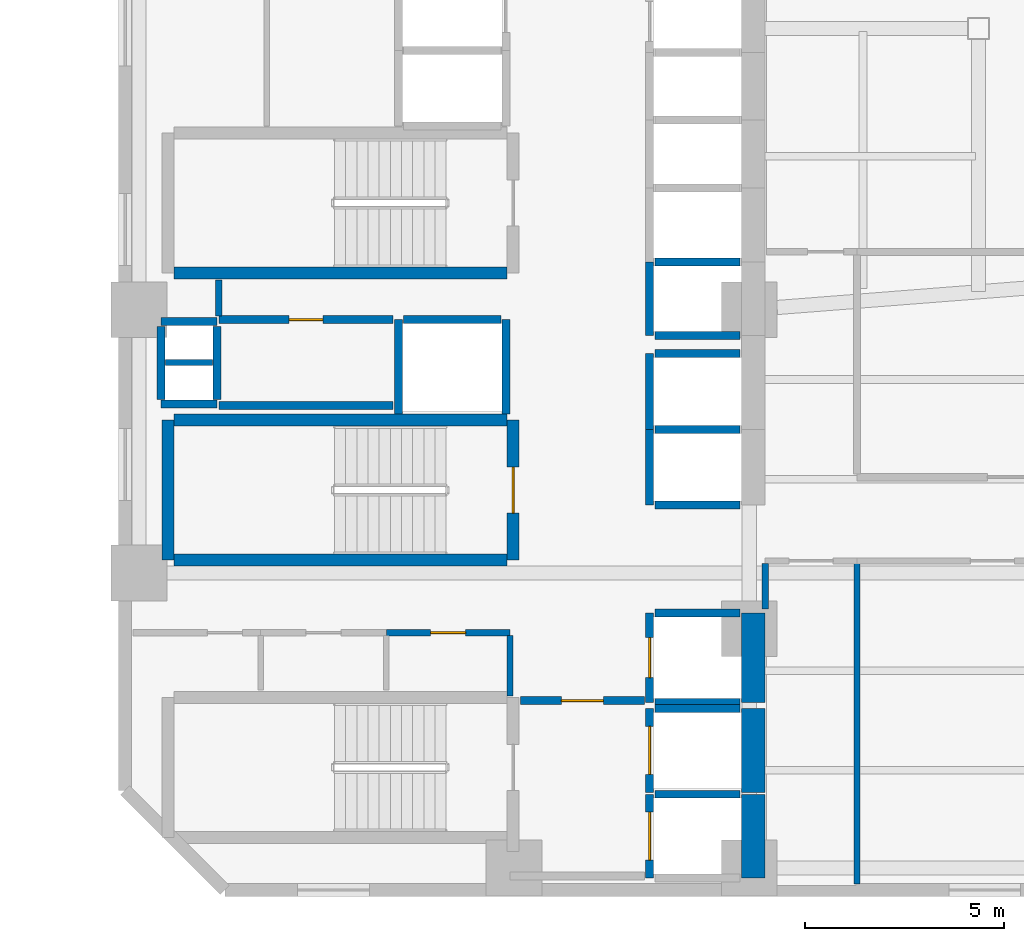
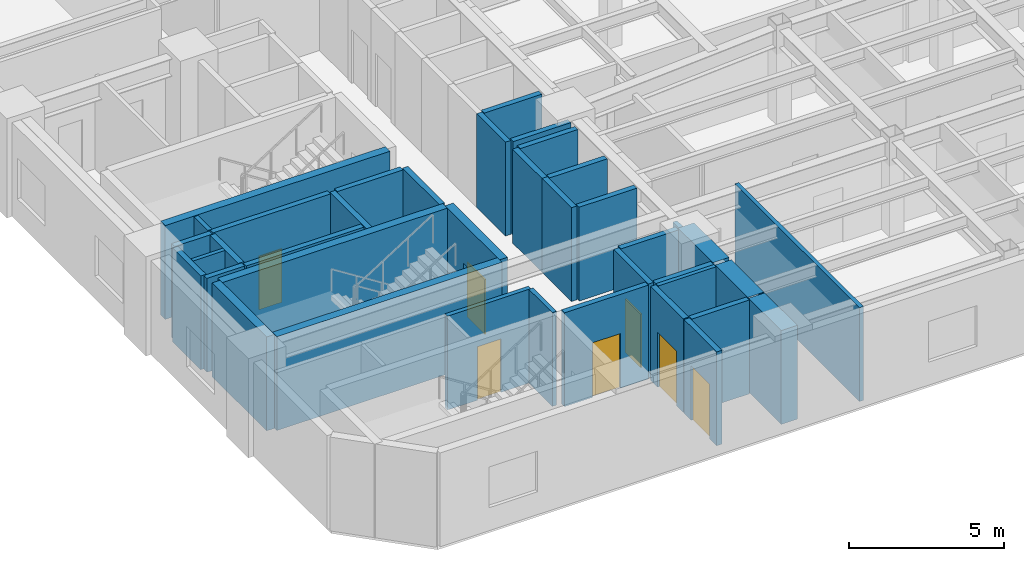
# One storey, part 3 of 10: 39 walls, 7 doors, 7 openings.
"""IFC4 building model written with IfcOpenShell, lengths in metres."""

from ifc_helpers import new_model, si_unit, direction, frame, frame_2d, origin, place, context, subcontext, project, spatial, rectangle, extrude, material, layer, layer_set, type_object, element, fill, save


model = new_model("IFC4")

# Units and contexts
model_context = context("Model", 3, precision=1e-05, world=origin(), true_north=direction((0.0, 1.0)))
body_context = subcontext(model_context, "Body", "Model", "MODEL_VIEW")
ifc_project = project(units=[si_unit("LENGTHUNIT", "METRE"), si_unit("AREAUNIT", "SQUARE_METRE"), si_unit("VOLUMEUNIT", "CUBIC_METRE"), si_unit("PLANEANGLEUNIT", "RADIAN"), si_unit("MASSUNIT", "GRAM", prefix="KILO")], contexts=[model_context])

# Site, building, storey
site_placement = place(None, origin())
site = spatial("IfcSite", under=ifc_project, at=site_placement, CompositionType="ELEMENT")
building_placement = place(site_placement, origin())
building = spatial("IfcBuilding", under=site, at=building_placement, Name="Mawjaban Terraces University", CompositionType="ELEMENT")
storey_placement = place(building_placement, frame((0.0, 0.0, 62.199951171875)))
storey = spatial("IfcBuildingStorey", under=building, at=storey_placement, Name="L14", CompositionType="ELEMENT", Elevation=62.199951171875)

# Walls
ifc_material_1 = material(Name="Concrete C70/85", Category="concrete")
ifc_layer_1 = layer(ifc_material_1, 0.60009765625)
ifc_layer_set_1 = layer_set([ifc_layer_1], Name="Concrete C70/85")
wall_type_1 = type_object("IfcWallType", Name="CoreShearWall_600", PredefinedType="SHEAR", material=ifc_layer_set_1)
wall_1_placement = place(storey_placement, frame((37.75, 0.300048828125, 0.0), z_axis=(0.0, 0.0, 1.0), x_axis=(0.0, 1.0, 0.0)))
element("IfcWall", 1, at=wall_1_placement, inside=storey, type_object=wall_type_1, Name="L14 Lift FL-1 Hoistway Wall East", PredefinedType="SHEAR", context=body_context, shape_type="SweptSolid", body=[
    extrude(rectangle(XDim=2.099853515625, YDim=0.60009765625, at=frame_2d((1.0498046875, 0.0))), origin(), (0.0, 0.0, 1.0), 3.68994140625),
])
wall_2_placement = place(storey_placement, frame((37.75, 2.449951171875, 0.0), z_axis=(0.0, 0.0, 1.0), x_axis=(0.0, 1.0, 0.0)))
element("IfcWall", 2, at=wall_2_placement, inside=storey, type_object=wall_type_1, Name="L14 Lift FL-2 Hoistway Wall East", PredefinedType="SHEAR", context=body_context, shape_type="SweptSolid", body=[
    extrude(rectangle(XDim=2.10009765625, YDim=0.60009765625, at=frame_2d((1.050048828125, 0.0))), origin(), (0.0, 0.0, 1.0), 3.68994140625),
])
wall_3_placement = place(storey_placement, frame((37.75, 4.699951171875, 0.0), z_axis=(0.0, 0.0, 1.0), x_axis=(0.0, 1.0, 0.0)))
element("IfcWall", 3, at=wall_3_placement, inside=storey, type_object=wall_type_1, Name="L14 Lift SL-1 Hoistway Wall East", PredefinedType="SHEAR", context=body_context, shape_type="SweptSolid", body=[
    extrude(rectangle(XDim=2.25, YDim=0.60009765625, at=frame_2d((1.125, 0.0))), origin(), (0.0, 0.0, 1.0), 3.68994140625),
])

# Wall, opening, door
ifc_material_2 = material(Name="Fire-rated gypsum board on steel stud", Category="steel")
ifc_layer_2 = layer(ifc_material_2, 0.159912109375)
ifc_layer_set_2 = layer_set([ifc_layer_2], Name="Fire-rated gypsum board on steel stud")
wall_type_2 = type_object("IfcWallType", Name="CorridorPartition_160", PredefinedType="PARTITIONING", material=ifc_layer_set_2)
wall_4_placement = place(storey_placement, frame((28.550048828125, 6.449951171875, 0.0), z_axis=(0.0, 0.0, 1.0), x_axis=(1.0, 0.0, 0.0)))
wall_4 = element("IfcWall", 4, at=wall_4_placement, inside=storey, type_object=wall_type_2, Name="L14 Core Washroom Lobby Partition 6", PredefinedType="PARTITIONING", context=body_context, shape_type="SweptSolid", body=[
    extrude(rectangle(XDim=3.099853515625, YDim=0.159912109375, at=frame_2d((1.5498046875, 0.0))), origin(), (0.0, 0.0, 1.0), 3.68994140625),
])
opening_1_placement = place(wall_4_placement, frame((1.110107421875, 0.0, 0.0)))
opening_1 = element("IfcOpeningElement", 5, at=opening_1_placement, cuts=wall_4, Name="Opening ID-088", PredefinedType="OPENING", context=body_context, shape_type="SweptSolid", body=[
    extrude(rectangle(XDim=0.8798828125, YDim=2.10009765625, at=frame_2d((0.43994140625, 1.050048828125))), frame((0.0, 0.08984375, 0.0), z_axis=(0.0, -1.0, 0.0), x_axis=(1.0, 0.0, 0.0)), (0.0, 0.0, 1.0), 0.179931640625),
])
ifc_material_3 = material(Name="Powder-coated steel frame and solid acoustic timber leaf", Category="steel")
door_type_1 = type_object("IfcDoorType", Name="ToiletDoor_880x2100", OperationType="NOTDEFINED", PredefinedType="DOOR", material=ifc_material_3)
door_1_placement = place(opening_1_placement, origin())
door_1 = element("IfcDoor", 6, at=door_1_placement, inside=storey, type_object=door_type_1, Name="L14 Accessible Toilet Door", OperationType="SINGLE_SWING_LEFT", OverallHeight=2.10009765625, OverallWidth=0.8798828125, PredefinedType="DOOR", context=body_context, shape_type="SweptSolid", body=[
    extrude(rectangle(XDim=0.8798828125, YDim=2.10009765625, at=frame_2d((0.43994140625, 1.050048828125))), frame((0.0, 0.02490234375, 0.0), z_axis=(0.0, -1.0, 0.0), x_axis=(1.0, 0.0, 0.0)), (0.0, 0.0, 1.0), 0.050048828125),
])
fill(opening_1, door_1)

# Walls
wall_5_placement = place(storey_placement, frame((24.35009765625, 15.2900390625, 0.0), z_axis=(0.0, 0.0, 1.0), x_axis=(0.0, -1.0, 0.0)))
element("IfcWall", 7, at=wall_5_placement, inside=storey, type_object=wall_type_2, Name="L14 Core Riser Access Passage Partition 30", PredefinedType="PARTITIONING", context=body_context, shape_type="SweptSolid", body=[
    extrude(rectangle(XDim=0.89501953125, YDim=0.159912109375, at=frame_2d((0.447509765625, 0.0))), origin(), (0.0, 0.0, 1.0), 3.68994140625),
])
wall_6_placement = place(storey_placement, frame((31.64990234375, 4.860107421875, 0.0), z_axis=(0.0, 0.0, 1.0), x_axis=(0.0, 1.0, 0.0)))
element("IfcWall", 8, at=wall_6_placement, inside=storey, type_object=wall_type_2, Name="L14 Accessible Toilet Partition 39", PredefinedType="PARTITIONING", context=body_context, shape_type="SweptSolid", body=[
    extrude(rectangle(XDim=1.514892578125, YDim=0.159912109375, at=frame_2d((0.75732421875, 0.0))), origin(), (0.0, 0.0, 1.0), 3.68994140625),
])
wall_7_placement = place(storey_placement, frame((38.050048828125, 7.050048828125, 0.0), z_axis=(0.0, 0.0, 1.0), x_axis=(0.0, 1.0, 0.0)))
element("IfcWall", 9, at=wall_7_placement, inside=storey, type_object=wall_type_2, Name="L14 Core Stair and Lift Lobby East Partition 42", PredefinedType="PARTITIONING", context=body_context, shape_type="SweptSolid", body=[
    extrude(rectangle(XDim=1.1318359375, YDim=0.159912109375, at=frame_2d((0.56591796875, 0.0))), origin(), (0.0, 0.0, 1.0), 2.9951171875),
])

# Wall, opening, door
ifc_material_4 = material(Name="Concrete C40/50", Category="concrete")
ifc_layer_3 = layer(ifc_material_4, 0.199951171875)
ifc_layer_set_3 = layer_set([ifc_layer_3], Name="Concrete C40/50")
wall_type_3 = type_object("IfcWallType", Name="FireLobbyWall_200", PredefinedType="SOLIDWALL", material=ifc_layer_set_3)
wall_8_placement = place(storey_placement, frame((35.14990234375, 2.39990234375, 0.0), z_axis=(0.0, 0.0, 1.0), x_axis=(0.0, -1.0, 0.0)))
wall_8 = element("IfcWall", 10, at=wall_8_placement, inside=storey, type_object=wall_type_3, Name="L14 Lift FL-1 Hoistway Wall West", PredefinedType="SOLIDWALL", context=body_context, shape_type="SweptSolid", body=[
    extrude(rectangle(XDim=2.099853515625, YDim=0.199951171875, at=frame_2d((1.0498046875, 0.0))), origin(), (0.0, 0.0, 1.0), 3.68994140625),
])
opening_2_placement = place(wall_8_placement, frame((0.449951171875, 0.0, 0.0)))
opening_2 = element("IfcOpeningElement", 11, at=opening_2_placement, cuts=wall_8, Name="Opening LD-FL-1", PredefinedType="OPENING", context=body_context, shape_type="SweptSolid", body=[
    extrude(rectangle(XDim=1.199951171875, YDim=2.14990234375, at=frame_2d((0.60009765625, 1.074951171875))), frame((0.0, 0.10986328125, 0.0), z_axis=(0.0, -1.0, 0.0), x_axis=(1.0, 0.0, 0.0)), (0.0, 0.0, 1.0), 0.219970703125),
])
ifc_material_5 = material(Name="Powder-coated steel frame and fire-rated steel-faced leaf", Category="steel")
door_type_2 = type_object("IfcDoorType", Name="LiftLandingFSAE_1200x2150", OperationType="NOTDEFINED", PredefinedType="DOOR", material=ifc_material_5)
door_2_placement = place(opening_2_placement, origin())
door_2 = element("IfcDoor", 12, at=door_2_placement, inside=storey, type_object=door_type_2, Name="L14 Lift FL-1 Sliding Landing Door", OperationType="DOUBLE_DOOR_SLIDING", OverallHeight=2.14990234375, OverallWidth=1.199951171875, PredefinedType="DOOR", context=body_context, shape_type="SweptSolid", body=[
    extrude(rectangle(XDim=1.199951171875, YDim=2.14990234375, at=frame_2d((0.60009765625, 1.074951171875))), frame((0.0, 0.02490234375, 0.0), z_axis=(0.0, -1.0, 0.0), x_axis=(1.0, 0.0, 0.0)), (0.0, 0.0, 1.0), 0.050048828125),
])
fill(opening_2, door_2)

# Wall
wall_9_placement = place(storey_placement, frame((37.419921875, 2.39990234375, 0.0), z_axis=(0.0, 0.0, 1.0), x_axis=(-1.0, 0.0, 0.0)))
element("IfcWall", 13, at=wall_9_placement, inside=storey, type_object=wall_type_3, Name="L14 Lift FL-1 Hoistway Wall North", PredefinedType="SOLIDWALL", context=body_context, shape_type="SweptSolid", body=[
    extrude(rectangle(XDim=2.139892578125, YDim=0.199951171875, at=frame_2d((1.06982421875, 0.0))), origin(), (0.0, 0.0, 1.0), 3.68994140625),
])

# Wall, opening, door
wall_10_placement = place(storey_placement, frame((35.14990234375, 4.550048828125, 0.0), z_axis=(0.0, 0.0, 1.0), x_axis=(0.0, -1.0, 0.0)))
wall_10 = element("IfcWall", 14, at=wall_10_placement, inside=storey, type_object=wall_type_3, Name="L14 Lift FL-2 Hoistway Wall West", PredefinedType="SOLIDWALL", context=body_context, shape_type="SweptSolid", body=[
    extrude(rectangle(XDim=2.10009765625, YDim=0.199951171875, at=frame_2d((1.050048828125, 0.0))), origin(), (0.0, 0.0, 1.0), 3.68994140625),
])
opening_3_placement = place(wall_10_placement, frame((0.449951171875, 0.0, 0.0)))
opening_3 = element("IfcOpeningElement", 15, at=opening_3_placement, cuts=wall_10, Name="Opening LD-FL-2", PredefinedType="OPENING", context=body_context, shape_type="SweptSolid", body=[
    extrude(rectangle(XDim=1.199951171875, YDim=2.14990234375, at=frame_2d((0.60009765625, 1.074951171875))), frame((0.0, 0.10986328125, 0.0), z_axis=(0.0, -1.0, 0.0), x_axis=(1.0, 0.0, 0.0)), (0.0, 0.0, 1.0), 0.219970703125),
])
door_3_placement = place(opening_3_placement, origin())
door_3 = element("IfcDoor", 16, at=door_3_placement, inside=storey, type_object=door_type_2, Name="L14 Lift FL-2 Sliding Landing Door", OperationType="DOUBLE_DOOR_SLIDING", OverallHeight=2.14990234375, OverallWidth=1.199951171875, PredefinedType="DOOR", context=body_context, shape_type="SweptSolid", body=[
    extrude(rectangle(XDim=1.199951171875, YDim=2.14990234375, at=frame_2d((0.60009765625, 1.074951171875))), frame((0.0, 0.02490234375, 0.0), z_axis=(0.0, -1.0, 0.0), x_axis=(1.0, 0.0, 0.0)), (0.0, 0.0, 1.0), 0.050048828125),
])
fill(opening_3, door_3)

# Wall
wall_11_placement = place(storey_placement, frame((37.419921875, 4.550048828125, 0.0), z_axis=(0.0, 0.0, 1.0), x_axis=(-1.0, 0.0, 0.0)))
element("IfcWall", 17, at=wall_11_placement, inside=storey, type_object=wall_type_3, Name="L14 Lift FL-2 Hoistway Wall North", PredefinedType="SOLIDWALL", context=body_context, shape_type="SweptSolid", body=[
    extrude(rectangle(XDim=2.139892578125, YDim=0.199951171875, at=frame_2d((1.06982421875, 0.0))), origin(), (0.0, 0.0, 1.0), 3.68994140625),
])

# Wall, opening, door
wall_12_placement = place(storey_placement, frame((35.14990234375, 6.949951171875, 0.0), z_axis=(0.0, 0.0, 1.0), x_axis=(0.0, -1.0, 0.0)))
wall_12 = element("IfcWall", 18, at=wall_12_placement, inside=storey, type_object=wall_type_3, Name="L14 Lift SL-1 Hoistway Wall West", PredefinedType="SOLIDWALL", context=body_context, shape_type="SweptSolid", body=[
    extrude(rectangle(XDim=2.25, YDim=0.199951171875, at=frame_2d((1.125, 0.0))), origin(), (0.0, 0.0, 1.0), 3.68994140625),
])
opening_4_placement = place(wall_12_placement, frame((0.625, 0.0, 0.0)))
opening_4 = element("IfcOpeningElement", 19, at=opening_4_placement, cuts=wall_12, Name="Opening LD-SL-1", PredefinedType="OPENING", context=body_context, shape_type="SweptSolid", body=[
    extrude(rectangle(XDim=1.0, YDim=2.10009765625, at=frame_2d((0.5, 1.050048828125))), frame((0.0, 0.10986328125, 0.0), z_axis=(0.0, -1.0, 0.0), x_axis=(1.0, 0.0, 0.0)), (0.0, 0.0, 1.0), 0.219970703125),
])
door_type_3 = type_object("IfcDoorType", Name="LiftLandingSliding_1000x2100", OperationType="NOTDEFINED", PredefinedType="DOOR", material=ifc_material_5)
door_4_placement = place(opening_4_placement, origin())
door_4 = element("IfcDoor", 20, at=door_4_placement, inside=storey, type_object=door_type_3, Name="L14 Lift SL-1 Sliding Landing Door", OperationType="DOUBLE_DOOR_SLIDING", OverallHeight=2.10009765625, OverallWidth=1.0, PredefinedType="DOOR", context=body_context, shape_type="SweptSolid", body=[
    extrude(rectangle(XDim=1.0, YDim=2.10009765625, at=frame_2d((0.5, 1.050048828125))), frame((0.0, 0.02490234375, 0.0), z_axis=(0.0, -1.0, 0.0), x_axis=(1.0, 0.0, 0.0)), (0.0, 0.0, 1.0), 0.050048828125),
])
fill(opening_4, door_4)

# Walls
for number, where, z_axis, x_axis, name in (
    (21, (35.280029296875, 4.699951171875, 0.0), (0.0, 0.0, 1.0), (1.0, 0.0, 0.0), "L14 Lift SL-1 Hoistway Wall South"),
    (22, (37.419921875, 6.949951171875, 0.0), (0.0, 0.0, 1.0), (-1.0, 0.0, 0.0), "L14 Lift SL-1 Hoistway Wall North"),
):
    element("IfcWall", number, at=place(storey_placement, frame(where, z_axis=z_axis, x_axis=x_axis)), inside=storey, type_object=wall_type_3, Name=name, PredefinedType="SOLIDWALL", context=body_context, shape_type="SweptSolid", body=[
        extrude(rectangle(XDim=2.139892578125, YDim=0.199951171875, at=frame_2d((1.06982421875, 0.0))), origin(), (0.0, 0.0, 1.0), 3.68994140625),
    ])
wall_13_placement = place(storey_placement, frame((35.14990234375, 11.550048828125, 0.0), z_axis=(0.0, 0.0, 1.0), x_axis=(0.0, -1.0, 0.0)))
element("IfcWall", 23, at=wall_13_placement, inside=storey, type_object=wall_type_3, Name="L14 Lift PL-H1 Hoistway Wall West", PredefinedType="SOLIDWALL", context=body_context, shape_type="SweptSolid", body=[
    extrude(rectangle(XDim=1.900146484375, YDim=0.199951171875, at=frame_2d((0.9501953125, 0.0))), origin(), (0.0, 0.0, 1.0), 3.68994140625),
])
for number, where, z_axis, x_axis, name in (
    (24, (35.280029296875, 9.64990234375, 0.0), (0.0, 0.0, 1.0), (1.0, 0.0, 0.0), "L14 Lift PL-H1 Hoistway Wall South"),
    (25, (37.419921875, 11.550048828125, 0.0), (0.0, 0.0, 1.0), (-1.0, 0.0, 0.0), "L14 Lift PL-H1 Hoistway Wall North"),
):
    element("IfcWall", number, at=place(storey_placement, frame(where, z_axis=z_axis, x_axis=x_axis)), inside=storey, type_object=wall_type_3, Name=name, PredefinedType="SOLIDWALL", context=body_context, shape_type="SweptSolid", body=[
        extrude(rectangle(XDim=2.139892578125, YDim=0.199951171875, at=frame_2d((1.06982421875, 0.0))), origin(), (0.0, 0.0, 1.0), 3.68994140625),
    ])
wall_14_placement = place(storey_placement, frame((35.14990234375, 13.449951171875, 0.0), z_axis=(0.0, 0.0, 1.0), x_axis=(0.0, -1.0, 0.0)))
element("IfcWall", 26, at=wall_14_placement, inside=storey, type_object=wall_type_3, Name="L14 Lift PL-H2 Hoistway Wall West", PredefinedType="SOLIDWALL", context=body_context, shape_type="SweptSolid", body=[
    extrude(rectangle(XDim=1.89990234375, YDim=0.199951171875, at=frame_2d((0.949951171875, 0.0))), origin(), (0.0, 0.0, 1.0), 3.68994140625),
])
wall_15_placement = place(storey_placement, frame((37.419921875, 13.449951171875, 0.0), z_axis=(0.0, 0.0, 1.0), x_axis=(-1.0, 0.0, 0.0)))
element("IfcWall", 27, at=wall_15_placement, inside=storey, type_object=wall_type_3, Name="L14 Lift PL-H2 Hoistway Wall North", PredefinedType="SOLIDWALL", context=body_context, shape_type="SweptSolid", body=[
    extrude(rectangle(XDim=2.139892578125, YDim=0.199951171875, at=frame_2d((1.06982421875, 0.0))), origin(), (0.0, 0.0, 1.0), 3.68994140625),
])
for number, where, z_axis, x_axis, name in (
    (28, (28.85009765625, 14.300048828125, 0.0), (0.0, 0.0, 1.0), (0.0, -1.0, 0.0), "L14 Lift PL-H3 Hoistway Wall West"),
    (29, (31.550048828125, 11.929931640625, 0.0), (0.0, 0.0, 1.0), (0.0, 1.0, 0.0), "L14 Lift PL-H3 Hoistway Wall East"),
):
    element("IfcWall", number, at=place(storey_placement, frame(where, z_axis=z_axis, x_axis=x_axis)), inside=storey, type_object=wall_type_3, Name=name, PredefinedType="SOLIDWALL", context=body_context, shape_type="SweptSolid", body=[
        extrude(rectangle(XDim=2.3701171875, YDim=0.199951171875, at=frame_2d((1.18505859375, 0.0))), origin(), (0.0, 0.0, 1.0), 3.68994140625),
    ])
wall_16_placement = place(storey_placement, frame((31.419921875, 14.300048828125, 0.0), z_axis=(0.0, 0.0, 1.0), x_axis=(-1.0, 0.0, 0.0)))
element("IfcWall", 30, at=wall_16_placement, inside=storey, type_object=wall_type_3, Name="L14 Lift PL-H3 Hoistway Wall North", PredefinedType="SOLIDWALL", context=body_context, shape_type="SweptSolid", body=[
    extrude(rectangle(XDim=2.43994140625, YDim=0.199951171875, at=frame_2d((1.219970703125, 0.0))), origin(), (0.0, 0.0, 1.0), 3.68994140625),
])
wall_17_placement = place(storey_placement, frame((35.14990234375, 15.75, 0.0), z_axis=(0.0, 0.0, 1.0), x_axis=(0.0, -1.0, 0.0)))
element("IfcWall", 31, at=wall_17_placement, inside=storey, type_object=wall_type_3, Name="L14 Lift OL-1 Hoistway Wall West", PredefinedType="SOLIDWALL", context=body_context, shape_type="SweptSolid", body=[
    extrude(rectangle(XDim=1.85009765625, YDim=0.199951171875, at=frame_2d((0.925048828125, 0.0))), origin(), (0.0, 0.0, 1.0), 3.68994140625),
])
for number, where, z_axis, x_axis, name in (
    (32, (35.280029296875, 13.89990234375, 0.0), (0.0, 0.0, 1.0), (1.0, 0.0, 0.0), "L14 Lift OL-1 Hoistway Wall South"),
    (33, (37.419921875, 15.75, 0.0), (0.0, 0.0, 1.0), (-1.0, 0.0, 0.0), "L14 Lift OL-1 Hoistway Wall North"),
):
    element("IfcWall", number, at=place(storey_placement, frame(where, z_axis=z_axis, x_axis=x_axis)), inside=storey, type_object=wall_type_3, Name=name, PredefinedType="SOLIDWALL", context=body_context, shape_type="SweptSolid", body=[
        extrude(rectangle(XDim=2.139892578125, YDim=0.199951171875, at=frame_2d((1.06982421875, 0.0))), origin(), (0.0, 0.0, 1.0), 3.68994140625),
    ])
for number, where, z_axis, x_axis, name in (
    (34, (22.89990234375, 14.25, 0.0), (0.0, 0.0, 1.0), (1.0, 0.0, 0.0), "L14 MEP Riser Shaft Wall N"),
    (35, (22.89990234375, 12.179931640625, 0.0), (0.0, 0.0, 1.0), (1.0, 0.0, 0.0), "L14 MEP Riser Shaft Wall S"),
):
    element("IfcWall", number, at=place(storey_placement, frame(where, z_axis=z_axis, x_axis=x_axis)), inside=storey, type_object=wall_type_3, Name=name, PredefinedType="SOLIDWALL", context=body_context, shape_type="SweptSolid", body=[
        extrude(rectangle(XDim=1.400146484375, YDim=0.199951171875, at=frame_2d((0.7001953125, 0.0))), origin(), (0.0, 0.0, 1.0), 3.68994140625),
    ])
for number, where, z_axis, x_axis, name in (
    (36, (24.300048828125, 12.300048828125, 0.0), (0.0, 0.0, 1.0), (0.0, 1.0, 0.0), "L14 MEP Riser Shaft Wall E"),
    (37, (22.89990234375, 12.300048828125, 0.0), (0.0, 0.0, 1.0), (0.0, 1.0, 0.0), "L14 MEP Riser Shaft Wall W"),
):
    element("IfcWall", number, at=place(storey_placement, frame(where, z_axis=z_axis, x_axis=x_axis)), inside=storey, type_object=wall_type_3, Name=name, PredefinedType="SOLIDWALL", context=body_context, shape_type="SweptSolid", body=[
        extrude(rectangle(XDim=1.829833984375, YDim=0.199951171875, at=frame_2d((0.9150390625, 0.0))), origin(), (0.0, 0.0, 1.0), 3.68994140625),
    ])
wall_18_placement = place(storey_placement, frame((24.35009765625, 12.14990234375, 0.0), z_axis=(0.0, 0.0, 1.0), x_axis=(1.0, 0.0, 0.0)))
element("IfcWall", 38, at=wall_18_placement, inside=storey, type_object=wall_type_3, Name="L14 IT and Telecoms Riser Room Partition 2", PredefinedType="SOLIDWALL", context=body_context, shape_type="SweptSolid", body=[
    extrude(rectangle(XDim=4.369873046875, YDim=0.199951171875, at=frame_2d((2.18505859375, 0.0))), origin(), (0.0, 0.0, 1.0), 3.68994140625),
])

# Wall, opening, door
wall_19_placement = place(storey_placement, frame((24.35009765625, 14.300048828125, 0.0), z_axis=(0.0, 0.0, 1.0), x_axis=(1.0, 0.0, 0.0)))
wall_19 = element("IfcWall", 39, at=wall_19_placement, inside=storey, type_object=wall_type_3, Name="L14 Core Riser Access Passage Partition 3", PredefinedType="SOLIDWALL", context=body_context, shape_type="SweptSolid", body=[
    extrude(rectangle(XDim=4.369873046875, YDim=0.199951171875, at=frame_2d((2.18505859375, 0.0))), origin(), (0.0, 0.0, 1.0), 3.68994140625),
])
opening_5_placement = place(wall_19_placement, frame((1.760009765625, 0.0, 0.0)))
opening_5 = element("IfcOpeningElement", 40, at=opening_5_placement, cuts=wall_19, Name="Opening FD-085", PredefinedType="OPENING", context=body_context, shape_type="SweptSolid", body=[
    extrude(rectangle(XDim=0.85009765625, YDim=2.10009765625, at=frame_2d((0.425048828125, 1.050048828125))), frame((0.0, 0.10986328125, 0.0), z_axis=(0.0, -1.0, 0.0), x_axis=(1.0, 0.0, 0.0)), (0.0, 0.0, 1.0), 0.219970703125),
])
door_type_4 = type_object("IfcDoorType", Name="FireRiserDoor_850x2100", OperationType="NOTDEFINED", PredefinedType="DOOR", material=ifc_material_5)
door_5_placement = place(opening_5_placement, origin())
door_5 = element("IfcDoor", 41, at=door_5_placement, inside=storey, type_object=door_type_4, Name="L14 IT and Telecoms Riser Room Door", OperationType="SINGLE_SWING_RIGHT", OverallHeight=2.10009765625, OverallWidth=0.85009765625, PredefinedType="DOOR", context=body_context, shape_type="SweptSolid", body=[
    extrude(rectangle(XDim=0.85009765625, YDim=2.10009765625, at=frame_2d((0.425048828125, 1.050048828125))), frame((0.0, 0.02490234375, 0.0), z_axis=(0.0, -1.0, 0.0), x_axis=(1.0, 0.0, 0.0)), (0.0, 0.0, 1.0), 0.050048828125),
])
fill(opening_5, door_5)

wall_20_placement = place(storey_placement, frame((35.02001953125, 4.75, 0.0), z_axis=(0.0, 0.0, 1.0), x_axis=(-1.0, 0.0, 0.0)))
wall_20 = element("IfcWall", 42, at=wall_20_placement, inside=storey, type_object=wall_type_3, Name="L14 Firefighting Lift Lobby Partition 12", PredefinedType="SOLIDWALL", context=body_context, shape_type="SweptSolid", body=[
    extrude(rectangle(XDim=3.110107421875, YDim=0.199951171875, at=frame_2d((1.55517578125, 0.0))), origin(), (0.0, 0.0, 1.0), 3.68994140625),
])
opening_6_placement = place(wall_20_placement, frame((1.030029296875, 0.0, 0.0)))
opening_6 = element("IfcOpeningElement", 43, at=opening_6_placement, cuts=wall_20, Name="Opening FD-105", PredefinedType="OPENING", context=body_context, shape_type="SweptSolid", body=[
    extrude(rectangle(XDim=1.050048828125, YDim=2.14990234375, at=frame_2d((0.52490234375, 1.074951171875))), frame((0.0, 0.10986328125, 0.0), z_axis=(0.0, -1.0, 0.0), x_axis=(1.0, 0.0, 0.0)), (0.0, 0.0, 1.0), 0.219970703125),
])
door_type_5 = type_object("IfcDoorType", Name="FireLobbyDoor_1050x2150", OperationType="NOTDEFINED", PredefinedType="DOOR", material=ifc_material_5)
door_6_placement = place(opening_6_placement, origin())
door_6 = element("IfcDoor", 44, at=door_6_placement, inside=storey, type_object=door_type_5, Name="L14 Firefighting Lift Lobby Door", OperationType="SINGLE_SWING_RIGHT", OverallHeight=2.14990234375, OverallWidth=1.050048828125, PredefinedType="DOOR", context=body_context, shape_type="SweptSolid", body=[
    extrude(rectangle(XDim=1.050048828125, YDim=2.14990234375, at=frame_2d((0.52490234375, 1.074951171875))), frame((0.0, 0.02490234375, 0.0), z_axis=(0.0, -1.0, 0.0), x_axis=(1.0, 0.0, 0.0)), (0.0, 0.0, 1.0), 0.050048828125),
])
fill(opening_6, door_6)

# Walls
ifc_material_6 = material(Name="Moisture-resistant gypsum board on steel stud", Category="steel")
ifc_layer_4 = layer(ifc_material_6, 0.14501953125)
ifc_layer_set_4 = layer_set([ifc_layer_4], Name="Moisture-resistant gypsum board on steel stud")
wall_type_4 = type_object("IfcWallType", Name="LabPartition_145", PredefinedType="PARTITIONING", material=ifc_layer_set_4)
wall_21_placement = place(storey_placement, frame((23.010009765625, 13.22509765625, 0.0), z_axis=(0.0, 0.0, 1.0), x_axis=(1.0, 0.0, 0.0)))
element("IfcWall", 45, at=wall_21_placement, inside=storey, type_object=wall_type_4, Name="L14 MEP Riser Shaft Wall M", PredefinedType="PARTITIONING", context=body_context, shape_type="SweptSolid", body=[
    extrude(rectangle(XDim=1.179931640625, YDim=0.14501953125, at=frame_2d((0.58984375, 0.0))), origin(), (0.0, 0.0, 1.0), 3.68994140625),
])
wall_22_placement = place(storey_placement, frame((40.35009765625, 0.155029296875, 0.0), z_axis=(0.0, 0.0, 1.0), x_axis=(0.0, 1.0, 0.0)))
element("IfcWall", 46, at=wall_22_placement, inside=storey, type_object=wall_type_4, Name="L14 Computational Laboratory 1 Partition 44", PredefinedType="PARTITIONING", context=body_context, shape_type="SweptSolid", body=[
    extrude(rectangle(XDim=8.02685546875, YDim=0.14501953125, at=frame_2d((4.013427734375, 0.0))), origin(), (0.0, 0.0, 1.0), 3.68994140625),
])
ifc_material_7 = material(Name="Concrete C60/75", Category="concrete")
ifc_layer_5 = layer(ifc_material_7, 0.300048828125)
ifc_layer_set_5 = layer_set([ifc_layer_5], Name="Concrete C60/75")
wall_type_5 = type_object("IfcWallType", Name="StairShaftWall_300", PredefinedType="SHEAR", material=ifc_layer_set_5)
for number, where, z_axis, x_axis, name in (
    (47, (23.219970703125, 15.469970703125, 0.0), (0.0, 0.0, 1.0), (1.0, 0.0, 0.0), "L14 ST-2 Stair Shaft Wall 3"),
    (48, (31.580078125, 11.780029296875, 0.0), (0.0, 0.0, 1.0), (-1.0, 0.0, 0.0), "L14 ST-3 Stair Shaft Wall 1"),
):
    element("IfcWall", number, at=place(storey_placement, frame(where, z_axis=z_axis, x_axis=x_axis)), inside=storey, type_object=wall_type_5, Name=name, PredefinedType="SHEAR", context=body_context, shape_type="SweptSolid", body=[
        extrude(rectangle(XDim=8.360107421875, YDim=0.300048828125, at=frame_2d((4.18017578125, 0.0))), origin(), (0.0, 0.0, 1.0), 3.68994140625),
    ])
wall_23_placement = place(storey_placement, frame((23.070068359375, 11.780029296875, 0.0), z_axis=(0.0, 0.0, 1.0), x_axis=(0.0, -1.0, 0.0)))
element("IfcWall", 49, at=wall_23_placement, inside=storey, type_object=wall_type_5, Name="L14 ST-3 Stair Shaft Wall 2", PredefinedType="SHEAR", context=body_context, shape_type="SweptSolid", body=[
    extrude(rectangle(XDim=3.510009765625, YDim=0.300048828125, at=frame_2d((1.7548828125, 0.0))), origin(), (0.0, 0.0, 1.0), 3.68994140625),
])
wall_24_placement = place(storey_placement, frame((23.219970703125, 8.27001953125, 0.0), z_axis=(0.0, 0.0, 1.0), x_axis=(1.0, 0.0, 0.0)))
element("IfcWall", 50, at=wall_24_placement, inside=storey, type_object=wall_type_5, Name="L14 ST-3 Stair Shaft Wall 3", PredefinedType="SHEAR", context=body_context, shape_type="SweptSolid", body=[
    extrude(rectangle(XDim=8.360107421875, YDim=0.300048828125, at=frame_2d((4.18017578125, 0.0))), origin(), (0.0, 0.0, 1.0), 3.68994140625),
])

# Wall, opening, door
wall_25_placement = place(storey_placement, frame((31.72998046875, 8.27001953125, 0.0), z_axis=(0.0, 0.0, 1.0), x_axis=(0.0, 1.0, 0.0)))
wall_25 = element("IfcWall", 51, at=wall_25_placement, inside=storey, type_object=wall_type_5, Name="L14 ST-3 Stair Shaft Wall 4", PredefinedType="SHEAR", context=body_context, shape_type="SweptSolid", body=[
    extrude(rectangle(XDim=3.510009765625, YDim=0.300048828125, at=frame_2d((1.7548828125, 0.0))), origin(), (0.0, 0.0, 1.0), 3.68994140625),
])
opening_7_placement = place(wall_25_placement, frame((1.179931640625, 0.0, 0.0)))
opening_7 = element("IfcOpeningElement", 52, at=opening_7_placement, cuts=wall_25, Name="Opening FD-115", PredefinedType="OPENING", context=body_context, shape_type="SweptSolid", body=[
    extrude(rectangle(XDim=1.14990234375, YDim=2.14990234375, at=frame_2d((0.574951171875, 1.074951171875))), frame((0.0, 0.159912109375, 0.0), z_axis=(0.0, -1.0, 0.0), x_axis=(1.0, 0.0, 0.0)), (0.0, 0.0, 1.0), 0.320068359375),
])
door_type_6 = type_object("IfcDoorType", Name="FireStairDoor_1150x2150", OperationType="NOTDEFINED", PredefinedType="DOOR", material=ifc_material_5)
door_7_placement = place(opening_7_placement, origin())
door_7 = element("IfcDoor", 53, at=door_7_placement, inside=storey, type_object=door_type_6, Name="L14 ST-3 Pressurised Stair Fire Door", OperationType="SINGLE_SWING_LEFT", OverallHeight=2.14990234375, OverallWidth=1.14990234375, PredefinedType="DOOR", context=body_context, shape_type="SweptSolid", body=[
    extrude(rectangle(XDim=1.14990234375, YDim=2.14990234375, at=frame_2d((0.574951171875, 1.074951171875))), frame((0.0, 0.02490234375, 0.0), z_axis=(0.0, -1.0, 0.0), x_axis=(1.0, 0.0, 0.0)), (0.0, 0.0, 1.0), 0.050048828125),
])
fill(opening_7, door_7)

save(model, "model.ifc")
